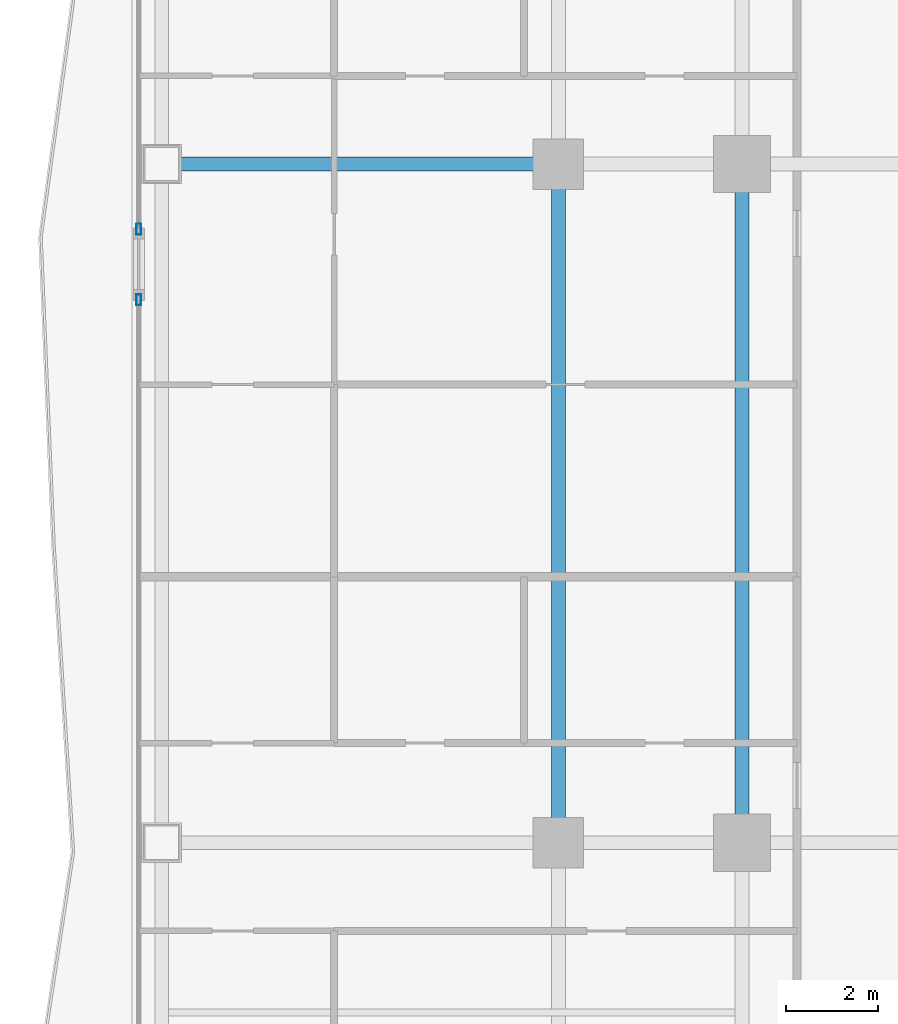
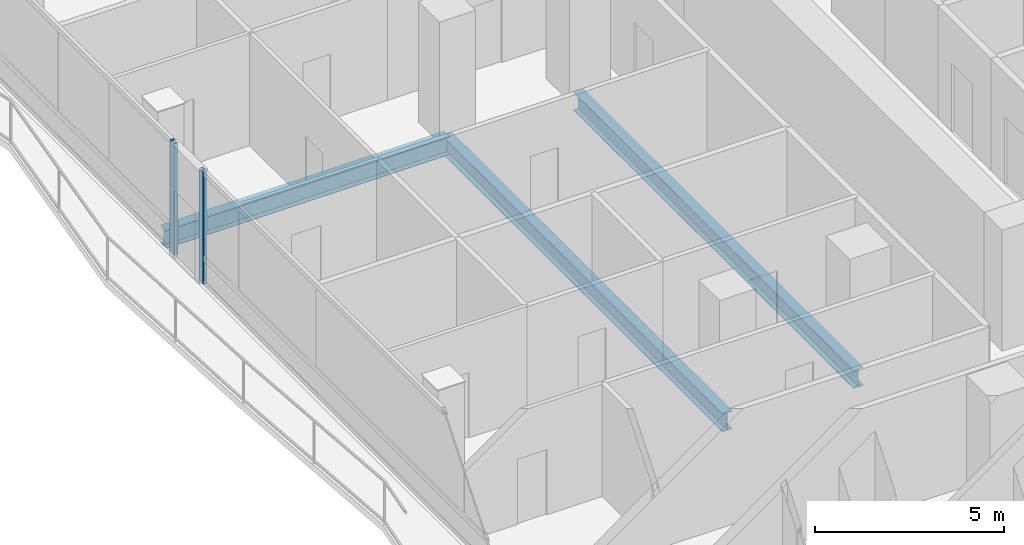
# One storey, part 6 of 28: 3 beams, 2 members, 2 elements without a shape of their own.
"""IFC4 building model written with IfcOpenShell, lengths in metres."""

from ifc_helpers import new_model, si_unit, direction, frame, origin, origin_2d, place, context, subcontext, project, spatial, hollow_rectangle, i_section, extrude, material, layer, layer_set, material_profile, profile_set, type_object, element, aggregate, save


model = new_model("IFC4")

# Units and contexts
model_context = context("Model", 3, precision=1e-05, world=origin(), true_north=direction((0.0, 1.0)))
body_context = subcontext(model_context, "Body", "Model", "MODEL_VIEW")
ifc_project = project(units=[si_unit("LENGTHUNIT", "METRE"), si_unit("AREAUNIT", "SQUARE_METRE"), si_unit("VOLUMEUNIT", "CUBIC_METRE"), si_unit("PLANEANGLEUNIT", "RADIAN"), si_unit("MASSUNIT", "GRAM", prefix="KILO")], contexts=[model_context])

# Site, building, storey
site_placement = place(None, origin())
site = spatial("IfcSite", under=ifc_project, at=site_placement, CompositionType="ELEMENT")
building_placement = place(site_placement, origin())
building = spatial("IfcBuilding", under=site, at=building_placement, Name="Khorvyn Point Tower", CompositionType="ELEMENT")
storey_placement = place(building_placement, frame((0.0, 0.0, 104.699951171875)))
storey = spatial("IfcBuildingStorey", under=building, at=storey_placement, Name="L26", CompositionType="ELEMENT", Elevation=104.699951171875)

# Curtain wall, member
ifc_material_1 = material(Name="Anodised aluminium 6063-T6 and laminated Low-E glass", Category="aluminium")
ifc_layer = layer(ifc_material_1, 0.18994140625)
ifc_layer_set = layer_set([ifc_layer], Name="Stick-Built Finned Residential Curtain Wall CW-SYS-02")
curtain_wall_type = type_object("IfcCurtainWallType", Name="Stick-Built Finned Residential Curtain Wall CW-SYS-02", PredefinedType="NOTDEFINED", material=ifc_layer_set)
curtain_wall_1_placement = place(storey_placement, origin())
curtain_wall_1 = element("IfcCurtainWall", 1, at=curtain_wall_1_placement, inside=storey, type_object=curtain_wall_type, Name="Curtain Wall", PredefinedType="NOTDEFINED")
ifc_material_2 = material(Name="Anodised aluminium 6063-T6", Category="aluminium")
ifc_material_profile_1 = material_profile(ifc_material_2, hollow_rectangle(XDim=0.10009765625, YDim=0.239990234375, WallThickness=0.0048828125, at=origin_2d()))
ifc_profile_set_1 = profile_set([ifc_material_profile_1], Name="Anodised aluminium 6063-T6 ALU-MUL-100x240")
member_type = type_object("IfcMemberType", Name="Anodised Aluminium 6063-T6 Mullion ALU-MUL-100x240", PredefinedType="MULLION", material=ifc_profile_set_1)
member_1_placement = place(storey_placement, frame((-27.949951171875, 4.43994140625, 0.0), z_axis=(0.0, 0.0, 1.0), x_axis=(-1.0, 0.0, 0.0)))
member_1 = element("IfcMember", 2, at=member_1_placement, type_object=member_type, Name="Transom", PredefinedType="MULLION", context=body_context, shape_type="SweptSolid", body=[
    extrude(hollow_rectangle(XDim=0.10009765625, YDim=0.239990234375, WallThickness=0.0048828125, at=origin_2d()), origin(), (0.0, 0.0, 1.0), 3.6201171875),
])
aggregate(curtain_wall_1, [member_1])

curtain_wall_2_placement = place(storey_placement, origin())
curtain_wall_2 = element("IfcCurtainWall", 3, at=curtain_wall_2_placement, inside=storey, type_object=curtain_wall_type, Name="Curtain Wall", PredefinedType="NOTDEFINED")
member_2_placement = place(storey_placement, frame((-27.949951171875, 5.97998046875, 0.0), z_axis=(0.0, 0.0, 1.0), x_axis=(-1.0, 0.0, 0.0)))
member_2 = element("IfcMember", 4, at=member_2_placement, type_object=member_type, Name="Transom", PredefinedType="MULLION", context=body_context, shape_type="SweptSolid", body=[
    extrude(hollow_rectangle(XDim=0.10009765625, YDim=0.239990234375, WallThickness=0.0048828125, at=origin_2d()), origin(), (0.0, 0.0, 1.0), 3.6201171875),
])
aggregate(curtain_wall_2, [member_2])

# Beams
ifc_material_3 = material(Name="Steel S355", Category="steel")
ifc_material_profile_2 = material_profile(ifc_material_3, i_section(OverallWidth=0.300048828125, OverallDepth=0.587890625, WebThickness=0.011962890625, FlangeThickness=0.02001953125, at=origin_2d()))
ifc_profile_set_2 = profile_set([ifc_material_profile_2], Name="Steel S355 H588x300x12x20")
beam_type = type_object("IfcBeamType", Name="Steel S355 Beam H588x300x12x20", PredefinedType="BEAM", material=ifc_profile_set_2)
beam_placement = place(storey_placement, frame((-27.449951171875, 7.39990234375, -0.513916015625), z_axis=(1.0, 0.0, 0.0), x_axis=(0.0, 1.0, 0.0)))
element("IfcBeam", 5, at=beam_placement, inside=storey, type_object=beam_type, Name="Beam", PredefinedType="BEAM", context=body_context, shape_type="SweptSolid", body=[
    extrude(i_section(OverallWidth=0.300048828125, OverallDepth=0.587890625, WebThickness=0.011962890625, FlangeThickness=0.02001953125, at=origin_2d()), origin(), (0.0, 0.0, 1.0), 8.64990234375),
])
for number, where, z_axis, x_axis, name in (
    (6, (-14.800048828125, -7.39990234375, -0.513916015625), (0.0, 1.0, 0.0), (-1.0, 0.0, 0.0), "Beam"),
    (7, (-18.800048828125, -7.39990234375, -0.513916015625), (0.0, 1.0, 0.0), (-1.0, 0.0, 0.0), "Beam"),
):
    element("IfcBeam", number, at=place(storey_placement, frame(where, z_axis=z_axis, x_axis=x_axis)), inside=storey, type_object=beam_type, Name=name, PredefinedType="BEAM", context=body_context, shape_type="SweptSolid", body=[
        extrude(i_section(OverallWidth=0.300048828125, OverallDepth=0.587890625, WebThickness=0.011962890625, FlangeThickness=0.02001953125, at=origin_2d()), origin(), (0.0, 0.0, 1.0), 14.7998046875),
    ])

save(model, "model.ifc")
